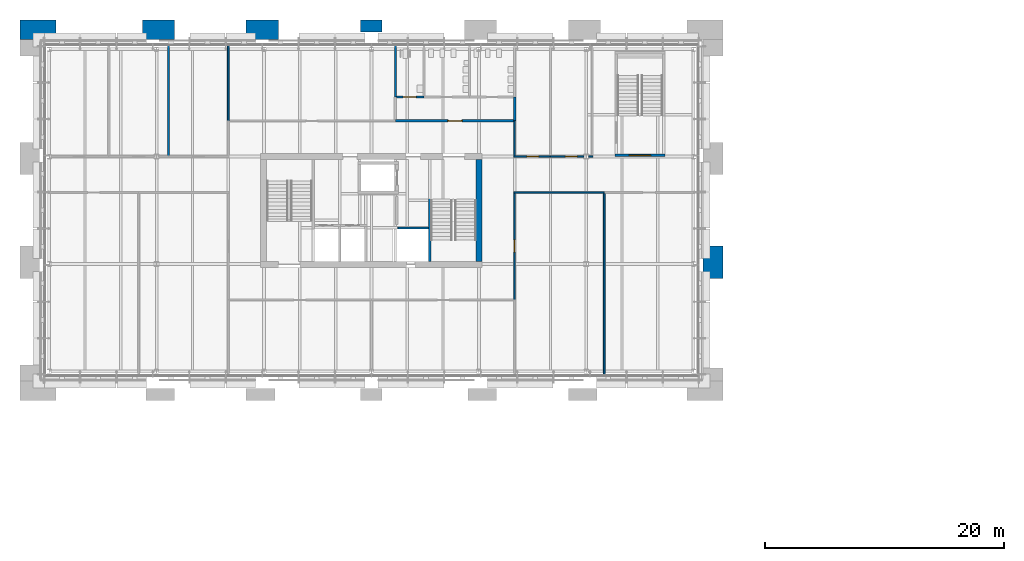
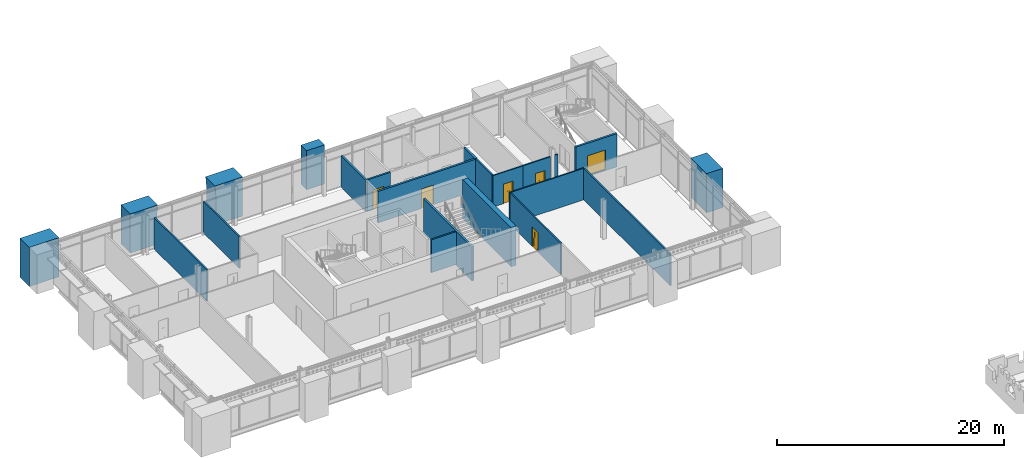
# One storey, part 22 of 37: 22 walls, 6 doors, 6 openings.
"""IFC4 building model written with IfcOpenShell, lengths in metres."""

from ifc_helpers import new_model, si_unit, direction, frame, frame_2d, origin, place, context, subcontext, project, spatial, polyline, rectangle, outline, extrude, material, layer, layer_set, type_object, element, fill, save


model = new_model("IFC4")

# Units and contexts
model_context = context("Model", 3, precision=1e-05, world=origin(), true_north=direction((0.0, 1.0)))
body_context = subcontext(model_context, "Body", "Model", "MODEL_VIEW")
ifc_project = project(units=[si_unit("LENGTHUNIT", "METRE"), si_unit("AREAUNIT", "SQUARE_METRE"), si_unit("VOLUMEUNIT", "CUBIC_METRE"), si_unit("PLANEANGLEUNIT", "RADIAN"), si_unit("MASSUNIT", "GRAM", prefix="KILO")], contexts=[model_context])

# Site, building, storey
site_placement = place(None, origin())
site = spatial("IfcSite", under=ifc_project, at=site_placement, CompositionType="ELEMENT")
building_placement = place(site_placement, origin())
building = spatial("IfcBuilding", under=site, at=building_placement, Name="Baradari Gate Terminus", CompositionType="ELEMENT")
storey_placement = place(building_placement, frame((0.0, 0.0, 24.300048828125)))
storey = spatial("IfcBuildingStorey", under=building, at=storey_placement, Name="L05", CompositionType="ELEMENT", Elevation=24.300048828125)

# Wall
ifc_material_1 = material(Name="Gypsum board")
ifc_layer_1 = layer(ifc_material_1, 0.125)
ifc_layer_set_1 = layer_set([ifc_layer_1], Name="Gypsum board")
wall_type_1 = type_object("IfcWallType", Name="Corridor partition PT-5 125 EI 30", PredefinedType="PARTITIONING", material=ifc_layer_set_1)
wall_1_placement = place(storey_placement, frame((55.5, 132.0, 0.0), z_axis=(0.0, 0.0, 1.0), x_axis=(-1.0, 0.0, 0.0)))
element("IfcWall", 1, at=wall_1_placement, inside=storey, type_object=wall_type_1, Name="PT-5 partition Corridor / Meeting Room 1", PredefinedType="PARTITIONING", context=body_context, shape_type="SweptSolid", body=[
    extrude(rectangle(XDim=7.5625, YDim=0.125, at=frame_2d((3.78125, 0.0))), origin(), (0.0, 0.0, 1.0), 3.3818359375),
])

# Wall, opening, door
wall_2_placement = place(storey_placement, frame((48.0, 131.9375, 0.0), z_axis=(0.0, 0.0, 1.0), x_axis=(0.0, -1.0, 0.0)))
wall_2 = element("IfcWall", 2, at=wall_2_placement, inside=storey, type_object=wall_type_1, Name="PT-5 partition Corridor / Meeting Room 1", PredefinedType="PARTITIONING", context=body_context, shape_type="SweptSolid", body=[
    extrude(rectangle(XDim=8.9375, YDim=0.125, at=frame_2d((4.46875, 0.0))), origin(), (0.0, 0.0, 1.0), 3.3818359375),
])
opening_1_placement = place(wall_2_placement, frame((3.91259765625, 0.0, 0.0)))
opening_1 = element("IfcOpeningElement", 3, at=opening_1_placement, cuts=wall_2, Name="Opening D05-020", PredefinedType="OPENING", context=body_context, shape_type="SweptSolid", body=[
    extrude(rectangle(XDim=1.050048828125, YDim=2.10009765625, at=frame_2d((0.52490234375, 1.050048828125))), frame((0.0, 0.072509765625, 0.0), z_axis=(0.0, -1.0, 0.0), x_axis=(1.0, 0.0, 0.0)), (0.0, 0.0, 1.0), 0.14501953125),
])
ifc_material_2 = material(Name="Steel S275", Category="steel")
door_type_1 = type_object("IfcDoorType", Name="Fire door FI-1050-FD30S 1050x2100 FD30S", OperationType="SINGLE_SWING_LEFT", PredefinedType="DOOR", material=ifc_material_2)
door_1_placement = place(opening_1_placement, frame((1.050048828125, 0.0, 0.0), z_axis=(0.0, 0.0, 1.0), x_axis=(-1.0, 0.0, 0.0)))
door_1 = element("IfcDoor", 4, at=door_1_placement, inside=storey, type_object=door_type_1, Name="Door Meeting Room 1", OperationType="SINGLE_SWING_LEFT", OverallHeight=2.1, OverallWidth=1.05, PredefinedType="DOOR", context=body_context, shape_type="SweptSolid", body=[
    extrude(outline(polyline([(0.0, 0.0), (0.070068359375, 0.0), (0.070068359375, 2.030029296875), (0.97998046875, 2.030029296875), (0.97998046875, 0.0), (1.050048828125, 0.0), (1.050048828125, 2.10009765625), (0.0, 2.10009765625), (0.0, 0.0)])), frame((0.0, 0.02490234375, 0.0), z_axis=(0.0, -1.0, 0.0), x_axis=(1.0, 0.0, 0.0)), (0.0, 0.0, 1.0), 0.050048828125),
    extrude(outline(polyline([(0.073974609375, 0.010009765625), (0.97607421875, 0.010009765625), (0.97607421875, 2.026123046875), (0.073974609375, 2.026123046875), (0.073974609375, 0.010009765625)]), holes=[polyline([(0.194091796875, 0.159912109375), (0.85595703125, 0.159912109375), (0.85595703125, 1.010009765625), (0.194091796875, 1.010009765625), (0.194091796875, 0.159912109375)]), polyline([(0.375, 1.159912109375), (0.675048828125, 1.159912109375), (0.675048828125, 1.760009765625), (0.375, 1.760009765625), (0.375, 1.159912109375)])]), frame((0.0, 0.017333984375, 0.0), z_axis=(0.0, -1.0, 0.0), x_axis=(1.0, 0.0, 0.0)), (0.0, 0.0, 1.0), 0.034912109375),
    extrude(rectangle(XDim=0.661865234375, YDim=0.85009765625, at=frame_2d((0.52490234375, 0.5849609375))), frame((0.0, 0.008544921875, 0.0), z_axis=(0.0, -1.0, 0.0), x_axis=(1.0, 0.0, 0.0)), (0.0, 0.0, 1.0), 0.017333984375),
    extrude(rectangle(XDim=0.300048828125, YDim=0.60009765625, at=frame_2d((0.52490234375, 1.4599609375))), frame((0.0, 0.005859375, 0.0), z_axis=(0.0, -1.0, 0.0), x_axis=(1.0, 0.0, 0.0)), (0.0, 0.0, 1.0), 0.011962890625),
])
fill(opening_1, door_1)

# Wall
wall_3_placement = place(storey_placement, frame((48.0, 138.0, 0.0), z_axis=(0.0, 0.0, 1.0), x_axis=(0.0, -1.0, 0.0)))
element("IfcWall", 5, at=wall_3_placement, inside=storey, type_object=wall_type_1, Name="PT-5 partition Corridor / Tea Point", PredefinedType="PARTITIONING", context=body_context, shape_type="SweptSolid", body=[
    extrude(rectangle(XDim=2.9375, YDim=0.125, at=frame_2d((1.46875, 0.0))), origin(), (0.0, 0.0, 1.0), 3.3818359375),
])

# Wall, opening, door
wall_4_placement = place(storey_placement, frame((47.9375, 135.0, 0.0), z_axis=(0.0, 0.0, 1.0), x_axis=(1.0, 0.0, 0.0)))
wall_4 = element("IfcWall", 6, at=wall_4_placement, inside=storey, type_object=wall_type_1, Name="PT-5 partition Corridor / Tea Point", PredefinedType="PARTITIONING", context=body_context, shape_type="SweptSolid", body=[
    extrude(rectangle(XDim=3.0625, YDim=0.125, at=frame_2d((1.53125, 0.0))), origin(), (0.0, 0.0, 1.0), 3.3818359375),
])
opening_2_placement = place(wall_4_placement, frame((1.0625, 0.0, 0.0)))
opening_2 = element("IfcOpeningElement", 7, at=opening_2_placement, cuts=wall_4, Name="Opening D05-025", PredefinedType="OPENING", context=body_context, shape_type="SweptSolid", body=[
    extrude(rectangle(XDim=1.0, YDim=2.10009765625, at=frame_2d((0.5, 1.050048828125))), frame((0.0, 0.072509765625, 0.0), z_axis=(0.0, -1.0, 0.0), x_axis=(1.0, 0.0, 0.0)), (0.0, 0.0, 1.0), 0.14501953125),
])
ifc_material_3 = material(Name="Steel S275", Category="steel")
door_type_2 = type_object("IfcDoorType", Name="Fire door FI-1000-FD30S 1000x2100 FD30S", OperationType="SINGLE_SWING_LEFT", PredefinedType="DOOR", material=ifc_material_3)
door_2_placement = place(opening_2_placement, origin())
door_2 = element("IfcDoor", 8, at=door_2_placement, inside=storey, type_object=door_type_2, Name="Door Tea Point", OperationType="SINGLE_SWING_LEFT", OverallHeight=2.1, OverallWidth=1.0, PredefinedType="DOOR", context=body_context, shape_type="SweptSolid", body=[
    extrude(outline(polyline([(0.0, 0.0), (0.070068359375, 0.0), (0.070068359375, 2.030029296875), (0.929931640625, 2.030029296875), (0.929931640625, 0.0), (1.0, 0.0), (1.0, 2.10009765625), (0.0, 2.10009765625), (0.0, 0.0)])), frame((0.0, 0.02490234375, 0.0), z_axis=(0.0, -1.0, 0.0), x_axis=(1.0, 0.0, 0.0)), (0.0, 0.0, 1.0), 0.050048828125),
    extrude(outline(polyline([(0.073974609375, 0.010009765625), (0.926025390625, 0.010009765625), (0.926025390625, 2.026123046875), (0.073974609375, 2.026123046875), (0.073974609375, 0.010009765625)]), holes=[polyline([(0.194091796875, 0.159912109375), (0.805908203125, 0.159912109375), (0.805908203125, 1.010009765625), (0.194091796875, 1.010009765625), (0.194091796875, 0.159912109375)]), polyline([(0.35009765625, 1.159912109375), (0.64990234375, 1.159912109375), (0.64990234375, 1.760009765625), (0.35009765625, 1.760009765625), (0.35009765625, 1.159912109375)])]), frame((0.0, 0.017333984375, 0.0), z_axis=(0.0, -1.0, 0.0), x_axis=(1.0, 0.0, 0.0)), (0.0, 0.0, 1.0), 0.034912109375),
    extrude(rectangle(XDim=0.61181640625, YDim=0.85009765625, at=frame_2d((0.5, 0.5849609375))), frame((0.0, 0.008544921875, 0.0), z_axis=(0.0, -1.0, 0.0), x_axis=(1.0, 0.0, 0.0)), (0.0, 0.0, 1.0), 0.017333984375),
    extrude(rectangle(XDim=0.2998046875, YDim=0.60009765625, at=frame_2d((0.5, 1.4599609375))), frame((0.0, 0.005859375, 0.0), z_axis=(0.0, -1.0, 0.0), x_axis=(1.0, 0.0, 0.0)), (0.0, 0.0, 1.0), 0.011962890625),
])
fill(opening_2, door_2)

wall_5_placement = place(storey_placement, frame((51.0, 135.0, 0.0), z_axis=(0.0, 0.0, 1.0), x_axis=(1.0, 0.0, 0.0)))
wall_5 = element("IfcWall", 9, at=wall_5_placement, inside=storey, type_object=wall_type_1, Name="PT-5 partition Corridor / Stationery Store", PredefinedType="PARTITIONING", context=body_context, shape_type="SweptSolid", body=[
    extrude(rectangle(XDim=2.802490234375, YDim=0.125, at=frame_2d((1.4013671875, 0.0))), origin(), (0.0, 0.0, 1.0), 3.3818359375),
])
opening_3_placement = place(wall_5_placement, frame((1.25, 0.0, 0.0)))
opening_3 = element("IfcOpeningElement", 10, at=opening_3_placement, cuts=wall_5, Name="Opening D05-026", PredefinedType="OPENING", context=body_context, shape_type="SweptSolid", body=[
    extrude(rectangle(XDim=1.0, YDim=2.10009765625, at=frame_2d((0.5, 1.050048828125))), frame((0.0, 0.072509765625, 0.0), z_axis=(0.0, -1.0, 0.0), x_axis=(1.0, 0.0, 0.0)), (0.0, 0.0, 1.0), 0.14501953125),
])
door_3_placement = place(opening_3_placement, origin())
door_3 = element("IfcDoor", 11, at=door_3_placement, inside=storey, type_object=door_type_2, Name="Door Stationery Store", OperationType="SINGLE_SWING_LEFT", OverallHeight=2.1, OverallWidth=1.0, PredefinedType="DOOR", context=body_context, shape_type="SweptSolid", body=[
    extrude(outline(polyline([(0.0, 0.0), (0.070068359375, 0.0), (0.070068359375, 2.030029296875), (0.929931640625, 2.030029296875), (0.929931640625, 0.0), (1.0, 0.0), (1.0, 2.10009765625), (0.0, 2.10009765625), (0.0, 0.0)])), frame((0.0, 0.02490234375, 0.0), z_axis=(0.0, -1.0, 0.0), x_axis=(1.0, 0.0, 0.0)), (0.0, 0.0, 1.0), 0.050048828125),
    extrude(outline(polyline([(0.073974609375, 0.010009765625), (0.926025390625, 0.010009765625), (0.926025390625, 2.026123046875), (0.073974609375, 2.026123046875), (0.073974609375, 0.010009765625)]), holes=[polyline([(0.194091796875, 0.159912109375), (0.805908203125, 0.159912109375), (0.805908203125, 1.010009765625), (0.194091796875, 1.010009765625), (0.194091796875, 0.159912109375)]), polyline([(0.35009765625, 1.159912109375), (0.64990234375, 1.159912109375), (0.64990234375, 1.760009765625), (0.35009765625, 1.760009765625), (0.35009765625, 1.159912109375)])]), frame((0.0, 0.017333984375, 0.0), z_axis=(0.0, -1.0, 0.0), x_axis=(1.0, 0.0, 0.0)), (0.0, 0.0, 1.0), 0.034912109375),
    extrude(rectangle(XDim=0.61181640625, YDim=0.85009765625, at=frame_2d((0.5, 0.5849609375))), frame((0.0, 0.008544921875, 0.0), z_axis=(0.0, -1.0, 0.0), x_axis=(1.0, 0.0, 0.0)), (0.0, 0.0, 1.0), 0.017333984375),
    extrude(rectangle(XDim=0.2998046875, YDim=0.60009765625, at=frame_2d((0.5, 1.4599609375))), frame((0.0, 0.005859375, 0.0), z_axis=(0.0, -1.0, 0.0), x_axis=(1.0, 0.0, 0.0)), (0.0, 0.0, 1.0), 0.011962890625),
])
fill(opening_3, door_3)

# Wall
wall_6_placement = place(storey_placement, frame((54.197509765625, 135.0, 0.0), z_axis=(0.0, 0.0, 1.0), x_axis=(1.0, 0.0, 0.0)))
element("IfcWall", 12, at=wall_6_placement, inside=storey, type_object=wall_type_1, Name="PT-5 partition Corridor / Stationery Store", PredefinedType="PARTITIONING", context=body_context, shape_type="SweptSolid", body=[
    extrude(rectangle(XDim=0.364990234375, YDim=0.125, at=frame_2d((0.1826171875, 0.0))), origin(), (0.0, 0.0, 1.0), 3.3818359375),
])

# Wall, opening, door
ifc_material_4 = material(Name="Blockwork wall, plastered, fire rated", Category="masonry")
ifc_layer_2 = layer(ifc_material_4, 0.199951171875)
ifc_layer_set_2 = layer_set([ifc_layer_2], Name="Blockwork wall, plastered, fire rated")
wall_type_2 = type_object("IfcWallType", Name="Lobby partition PT-4 200 EI 60", PredefinedType="PARTITIONING", material=ifc_layer_set_2)
wall_7_placement = place(storey_placement, frame((38.0, 138.0, 0.0), z_axis=(0.0, 0.0, 1.0), x_axis=(1.0, 0.0, 0.0)))
wall_7 = element("IfcWall", 13, at=wall_7_placement, inside=storey, type_object=wall_type_2, Name="PT-4 partition Corridor / WC Lobby", PredefinedType="PARTITIONING", context=body_context, shape_type="SweptSolid", body=[
    extrude(rectangle(XDim=9.89990234375, YDim=0.199951171875, at=frame_2d((4.949951171875, 0.0))), origin(), (0.0, 0.0, 1.0), 3.3818359375),
])
opening_4_placement = place(wall_7_placement, frame((4.39990234375, 0.0, 0.0)))
opening_4 = element("IfcOpeningElement", 14, at=opening_4_placement, cuts=wall_7, Name="Opening D05-011", PredefinedType="OPENING", context=body_context, shape_type="SweptSolid", body=[
    extrude(rectangle(XDim=1.199951171875, YDim=2.10009765625, at=frame_2d((0.60009765625, 1.050048828125))), frame((0.0, 0.10986328125, 0.0), z_axis=(0.0, -1.0, 0.0), x_axis=(1.0, 0.0, 0.0)), (0.0, 0.0, 1.0), 0.219970703125),
])
ifc_material_5 = material(Name="Steel S275", Category="steel")
door_type_3 = type_object("IfcDoorType", Name="Fire door FI-1200-FD60S 1200x2100 FD60S", OperationType="DOUBLE_DOOR_SINGLE_SWING", PredefinedType="DOOR", material=ifc_material_5)
door_4_placement = place(opening_4_placement, origin())
door_4 = element("IfcDoor", 15, at=door_4_placement, inside=storey, type_object=door_type_3, Name="Door WC Lobby", OperationType="DOUBLE_DOOR_SINGLE_SWING", OverallHeight=2.1, OverallWidth=1.2, PredefinedType="DOOR", context=body_context, shape_type="SweptSolid", body=[
    extrude(outline(polyline([(0.0, 0.0), (0.070068359375, 0.0), (0.070068359375, 2.030029296875), (1.1298828125, 2.030029296875), (1.1298828125, 0.0), (1.199951171875, 0.0), (1.199951171875, 2.10009765625), (0.0, 2.10009765625), (0.0, 0.0)])), frame((0.0, 0.02490234375, 0.0), z_axis=(0.0, -1.0, 0.0), x_axis=(1.0, 0.0, 0.0)), (0.0, 0.0, 1.0), 0.050048828125),
    extrude(outline(polyline([(0.073974609375, 0.010009765625), (0.596923828125, 0.010009765625), (0.596923828125, 2.026123046875), (0.073974609375, 2.026123046875), (0.073974609375, 0.010009765625)]), holes=[polyline([(0.178466796875, 0.372802734375), (0.492431640625, 0.372802734375), (0.492431640625, 1.7841796875), (0.178466796875, 1.7841796875), (0.178466796875, 0.372802734375)])]), frame((0.0, 0.017333984375, 0.0), z_axis=(0.0, -1.0, 0.0), x_axis=(1.0, 0.0, 0.0)), (0.0, 0.0, 1.0), 0.034912109375),
    extrude(rectangle(XDim=0.31396484375, YDim=1.411376953125, at=frame_2d((0.33544921875, 1.07861328125))), frame((0.0, 0.008544921875, 0.0), z_axis=(0.0, -1.0, 0.0), x_axis=(1.0, 0.0, 0.0)), (0.0, 0.0, 1.0), 0.017333984375),
    extrude(outline(polyline([(0.60302734375, 0.010009765625), (1.1259765625, 0.010009765625), (1.1259765625, 2.026123046875), (0.60302734375, 2.026123046875), (0.60302734375, 0.010009765625)]), holes=[polyline([(0.70751953125, 0.372802734375), (1.021484375, 0.372802734375), (1.021484375, 1.7841796875), (0.70751953125, 1.7841796875), (0.70751953125, 0.372802734375)])]), frame((0.0, 0.017333984375, 0.0), z_axis=(0.0, -1.0, 0.0), x_axis=(1.0, 0.0, 0.0)), (0.0, 0.0, 1.0), 0.034912109375),
    extrude(rectangle(XDim=0.31396484375, YDim=1.411376953125, at=frame_2d((0.864501953125, 1.07861328125))), frame((0.0, 0.008544921875, 0.0), z_axis=(0.0, -1.0, 0.0), x_axis=(1.0, 0.0, 0.0)), (0.0, 0.0, 1.0), 0.017333984375),
])
fill(opening_4, door_4)

# Walls
wall_8_placement = place(storey_placement, frame((48.0, 140.0, 0.0), z_axis=(0.0, 0.0, 1.0), x_axis=(0.0, -1.0, 0.0)))
element("IfcWall", 16, at=wall_8_placement, inside=storey, type_object=wall_type_2, Name="PT-4 partition WC Lobby / Tea Point", PredefinedType="PARTITIONING", context=body_context, shape_type="SweptSolid", body=[
    extrude(rectangle(XDim=2.0, YDim=0.199951171875, at=frame_2d((1.0, 0.0))), origin(), (0.0, 0.0, 1.0), 3.3818359375),
])
ifc_material_6 = material(Name="Concrete C40/50", Category="concrete")
ifc_layer_3 = layer(ifc_material_6, 0.5)
ifc_layer_set_3 = layer_set([ifc_layer_3], Name="Concrete C40/50")
wall_type_3 = type_object("IfcWallType", Name="Operations block core wall CWL02 500", PredefinedType="SOLIDWALL", material=ifc_layer_set_3)
wall_9_placement = place(storey_placement, frame((45.02490234375, 126.22509765625, 0.0), z_axis=(0.0, 0.0, 1.0), x_axis=(0.0, 1.0, 0.0)))
element("IfcWall", 17, at=wall_9_placement, inside=storey, type_object=wall_type_3, Name="Operations block core wall CT E L05", PredefinedType="SOLIDWALL", context=body_context, shape_type="SweptSolid", body=[
    extrude(rectangle(XDim=8.5498046875, YDim=0.5, at=frame_2d((4.27490234375, 0.0))), origin(), (0.0, 0.0, 1.0), 4.199951171875),
])
ifc_material_7 = material(Name="Blockwork wall, plastered", Category="masonry")
ifc_layer_4 = layer(ifc_material_7, 0.14990234375)
ifc_layer_set_4 = layer_set([ifc_layer_4], Name="Blockwork wall, plastered")
wall_type_4 = type_object("IfcWallType", Name="Partition PT-2 150 EI 60", PredefinedType="PARTITIONING", material=ifc_layer_set_4)
wall_10_placement = place(storey_placement, frame((19.0, 144.294921875, 0.0), z_axis=(0.0, 0.0, 1.0), x_axis=(0.0, -1.0, 0.0)))
element("IfcWall", 18, at=wall_10_placement, inside=storey, type_object=wall_type_4, Name="PT-2 partition Revenue Office / Freight and Parcels Office", PredefinedType="PARTITIONING", context=body_context, shape_type="SweptSolid", body=[
    extrude(rectangle(XDim=9.232421875, YDim=0.14990234375, at=frame_2d((4.6162109375, 0.0))), origin(), (0.0, 0.0, 1.0), 3.3818359375),
])
wall_11_placement = place(storey_placement, frame((24.0, 144.294921875, 0.0), z_axis=(0.0, 0.0, 1.0), x_axis=(0.0, -1.0, 0.0)))
element("IfcWall", 19, at=wall_11_placement, inside=storey, type_object=wall_type_4, Name="PT-2 partition Freight and Parcels Office / Print and Stationery Room", PredefinedType="PARTITIONING", context=body_context, shape_type="SweptSolid", body=[
    extrude(rectangle(XDim=6.294921875, YDim=0.14990234375, at=frame_2d((3.1474609375, 0.0))), origin(), (0.0, 0.0, 1.0), 3.3818359375),
])
wall_12_placement = place(storey_placement, frame((55.5, 131.9375, 0.0), z_axis=(0.0, 0.0, 1.0), x_axis=(0.0, -1.0, 0.0)))
element("IfcWall", 20, at=wall_12_placement, inside=storey, type_object=wall_type_4, Name="PT-2 partition Meeting Room 1 / Meeting Room 2", PredefinedType="PARTITIONING", context=body_context, shape_type="SweptSolid", body=[
    extrude(rectangle(XDim=15.232421875, YDim=0.14990234375, at=frame_2d((7.6162109375, 0.0))), origin(), (0.0, 0.0, 1.0), 3.3818359375),
])
ifc_material_8 = material(Name="Blockwork wall, fire rated", Category="masonry")
ifc_layer_5 = layer(ifc_material_8, 0.14990234375)
ifc_layer_set_5 = layer_set([ifc_layer_5], Name="Blockwork wall, fire rated")
wall_type_5 = type_object("IfcWallType", Name="Riser wall RW-1 150 EI 120", PredefinedType="SOLIDWALL", material=ifc_layer_set_5)
wall_13_placement = place(storey_placement, frame((40.77294921875, 129.02490234375, 0.0), z_axis=(0.0, 0.0, 1.0), x_axis=(-1.0, 0.0, 0.0)))
element("IfcWall", 21, at=wall_13_placement, inside=storey, type_object=wall_type_5, Name="RW-1 partition Lift Lobby (Fire-fighting) / Riser", PredefinedType="SOLIDWALL", context=body_context, shape_type="SweptSolid", body=[
    extrude(rectangle(XDim=2.5478515625, YDim=0.14990234375, at=frame_2d((1.27392578125, 0.0))), origin(), (0.0, 0.0, 1.0), 3.52490234375),
])
ifc_material_9 = material(Name="Concrete C40/50 precast", Category="concrete")
ifc_layer_6 = layer(ifc_material_9, 1.55)
ifc_material_10 = material(Name="Sandstone cladding", Category="masonry")
ifc_layer_7 = layer(ifc_material_10, 0.1)
ifc_layer_set_6 = layer_set([ifc_layer_6, ifc_layer_7], Name="Concrete C40/50 precast")
wall_type_6 = type_object("IfcWallType", Name="Sandstone-faced precast frame pier WQ-4 1650", PredefinedType="SOLIDWALL", material=ifc_layer_set_6)
wall_14_placement = place(storey_placement, frame((16.800048828125, 145.6201171875, 0.0), z_axis=(0.0, 0.0, 1.0), x_axis=(1.0, 0.0, 0.0)))
element("IfcWall", 22, at=wall_14_placement, inside=storey, type_object=wall_type_6, Name="Frame portal wall N face bay 1 1", PredefinedType="SOLIDWALL", context=body_context, shape_type="SweptSolid", body=[
    extrude(outline(polyline([(2.699951171875, 0.0), (2.699951171875, 3.0), (2.795166015625, 4.199951171875), (0.0, 4.199951171875), (0.0, 0.0), (2.699951171875, 0.0)])), frame((0.0, 0.824951171875, 0.0), z_axis=(0.0, -1.0, 0.0), x_axis=(1.0, 0.0, 0.0)), (0.0, 0.0, 1.0), 1.64990234375),
])
wall_15_placement = place(storey_placement, frame((25.40478515625, 145.6201171875, 0.0), z_axis=(0.0, 0.0, 1.0), x_axis=(1.0, 0.0, 0.0)))
element("IfcWall", 23, at=wall_15_placement, inside=storey, type_object=wall_type_6, Name="Frame portal wall N face bay 1 2", PredefinedType="SOLIDWALL", context=body_context, shape_type="SweptSolid", body=[
    extrude(outline(polyline([(0.0, 4.199951171875), (0.09521484375, 3.0), (0.09521484375, 0.0), (2.795166015625, 0.0), (2.795166015625, 4.199951171875), (0.0, 4.199951171875)])), frame((0.0, 0.824951171875, 0.0), z_axis=(0.0, -1.0, 0.0), x_axis=(1.0, 0.0, 0.0)), (0.0, 0.0, 1.0), 1.64990234375),
])
wall_16_placement = place(storey_placement, frame((64.6201171875, 124.800048828125, 0.0), z_axis=(0.0, 0.0, 1.0), x_axis=(0.0, 1.0, 0.0)))
element("IfcWall", 24, at=wall_16_placement, inside=storey, type_object=wall_type_6, Name="Frame portal wall E face bay 1 1", PredefinedType="SOLIDWALL", context=body_context, shape_type="SweptSolid", body=[
    extrude(outline(polyline([(2.699951171875, 0.0), (2.699951171875, 3.0), (2.795166015625, 4.199951171875), (0.0, 4.199951171875), (0.0, 0.0), (2.699951171875, 0.0)])), frame((0.0, 0.824951171875, 0.0), z_axis=(0.0, -1.0, 0.0), x_axis=(1.0, 0.0, 0.0)), (0.0, 0.0, 1.0), 1.64990234375),
])
wall_17_placement = place(storey_placement, frame((6.554931640625, 145.6201171875, 0.0), z_axis=(0.0, 0.0, 1.0), x_axis=(1.0, 0.0, 0.0)))
element("IfcWall", 25, at=wall_17_placement, inside=storey, type_object=wall_type_6, Name="Corner pilaster NW leg A L05", PredefinedType="SOLIDWALL", context=body_context, shape_type="SweptSolid", body=[
    extrude(rectangle(XDim=3.0, YDim=1.64990234375, at=frame_2d((1.5, 0.0))), origin(), (0.0, 0.0, 1.0), 4.199951171875),
])
ifc_layer_8 = layer(ifc_material_9, 0.9)
ifc_layer_9 = layer(ifc_material_10, 0.1)
ifc_layer_set_7 = layer_set([ifc_layer_8, ifc_layer_9], Name="Concrete C40/50 precast")
wall_type_7 = type_object("IfcWallType", Name="Sandstone-faced precast grid pier WQ-6 1000", PredefinedType="SOLIDWALL", material=ifc_layer_set_7)
wall_18_placement = place(storey_placement, frame((35.10009765625, 145.945068359375, 0.0), z_axis=(0.0, 0.0, 1.0), x_axis=(1.0, 0.0, 0.0)))
element("IfcWall", 26, at=wall_18_placement, inside=storey, type_object=wall_type_7, Name="Grid pier N face grid 36 L05", PredefinedType="SOLIDWALL", context=body_context, shape_type="SweptSolid", body=[
    extrude(rectangle(XDim=1.7998046875, YDim=1.0, at=frame_2d((0.89990234375, 0.0))), origin(), (0.0, 0.0, 1.0), 4.199951171875),
])
ifc_material_11 = material(Name="Concrete C40/50", Category="concrete")
ifc_layer_10 = layer(ifc_material_11, 0.199951171875)
ifc_layer_set_8 = layer_set([ifc_layer_10], Name="Concrete C40/50")
wall_type_8 = type_object("IfcWallType", Name="Stair enclosure wall SE-1 200 EI 120", PredefinedType="SOLIDWALL", material=ifc_layer_set_8)
wall_19_placement = place(storey_placement, frame((40.875, 126.22705078125, -0.130126953125), z_axis=(0.0, 0.0, 1.0), x_axis=(0.0, 1.0, 0.0)))
element("IfcWall", 27, at=wall_19_placement, inside=storey, type_object=wall_type_8, Name="Stair enclosure wall SE-1 ST-T2 L05 W", PredefinedType="SOLIDWALL", context=body_context, shape_type="SweptSolid", body=[
    extrude(rectangle(XDim=8.5458984375, YDim=0.199951171875, at=frame_2d((4.27294921875, 0.0))), origin(), (0.0, 0.0, 1.0), 3.666015625),
])

# Wall, opening, door
ifc_material_12 = material(Name="Concrete C40/50", Category="concrete")
ifc_layer_11 = layer(ifc_material_12, 0.199951171875)
ifc_layer_set_9 = layer_set([ifc_layer_11], Name="Concrete C40/50")
wall_type_9 = type_object("IfcWallType", Name="Stair enclosure wall SE-2 200 EI 120", PredefinedType="SOLIDWALL", material=ifc_layer_set_9)
wall_20_placement = place(storey_placement, frame((56.39990234375, 135.10009765625, -0.130126953125), z_axis=(0.0, 0.0, 1.0), x_axis=(1.0, 0.0, 0.0)))
wall_20 = element("IfcWall", 28, at=wall_20_placement, inside=storey, type_object=wall_type_9, Name="Stair enclosure wall SE-2 ST-T3 L05 S", PredefinedType="SOLIDWALL", context=body_context, shape_type="SweptSolid", body=[
    extrude(rectangle(XDim=4.2001953125, YDim=0.199951171875, at=frame_2d((2.10009765625, 0.0))), origin(), (0.0, 0.0, 1.0), 3.587158203125),
])
opening_5_placement = place(wall_20_placement, frame((1.199951171875, 0.0, 0.1298828125)))
opening_5 = element("IfcOpeningElement", 29, at=opening_5_placement, cuts=wall_20, Name="Opening D05-010", PredefinedType="OPENING", context=body_context, shape_type="SweptSolid", body=[
    extrude(rectangle(XDim=1.800048828125, YDim=2.10009765625, at=frame_2d((0.89990234375, 1.050048828125))), frame((0.0, 0.10986328125, 0.0), z_axis=(0.0, -1.0, 0.0), x_axis=(1.0, 0.0, 0.0)), (0.0, 0.0, 1.0), 0.219970703125),
])
ifc_material_13 = material(Name="Steel S275", Category="steel")
door_type_4 = type_object("IfcDoorType", Name="Fire door FI-1800-FD90S 1800x2100 FD90S", OperationType="DOUBLE_DOOR_SINGLE_SWING", PredefinedType="DOOR", material=ifc_material_13)
door_5_placement = place(opening_5_placement, origin())
door_5 = element("IfcDoor", 30, at=door_5_placement, inside=storey, type_object=door_type_4, Name="Door Stair (East Core)", OperationType="DOUBLE_DOOR_SINGLE_SWING", OverallHeight=2.1, OverallWidth=1.8, PredefinedType="DOOR", context=body_context, shape_type="SweptSolid", body=[
    extrude(outline(polyline([(0.0, 0.0), (0.070068359375, 0.0), (0.070068359375, 2.030029296875), (1.72998046875, 2.030029296875), (1.72998046875, 0.0), (1.800048828125, 0.0), (1.800048828125, 2.10009765625), (0.0, 2.10009765625), (0.0, 0.0)])), frame((0.0, 0.02490234375, 0.0), z_axis=(0.0, -1.0, 0.0), x_axis=(1.0, 0.0, 0.0)), (0.0, 0.0, 1.0), 0.050048828125),
    extrude(outline(polyline([(0.073974609375, 0.010009765625), (0.89697265625, 0.010009765625), (0.89697265625, 2.026123046875), (0.073974609375, 2.026123046875), (0.073974609375, 0.010009765625)]), holes=[polyline([(0.194091796875, 0.159912109375), (0.77685546875, 0.159912109375), (0.77685546875, 1.010009765625), (0.194091796875, 1.010009765625), (0.194091796875, 0.159912109375)]), polyline([(0.33544921875, 1.159912109375), (0.635498046875, 1.159912109375), (0.635498046875, 1.760009765625), (0.33544921875, 1.760009765625), (0.33544921875, 1.159912109375)])]), frame((0.0, 0.017333984375, 0.0), z_axis=(0.0, -1.0, 0.0), x_axis=(1.0, 0.0, 0.0)), (0.0, 0.0, 1.0), 0.034912109375),
    extrude(rectangle(XDim=0.582763671875, YDim=0.85009765625, at=frame_2d((0.4853515625, 0.5849609375))), frame((0.0, 0.008544921875, 0.0), z_axis=(0.0, -1.0, 0.0), x_axis=(1.0, 0.0, 0.0)), (0.0, 0.0, 1.0), 0.017333984375),
    extrude(rectangle(XDim=0.300048828125, YDim=0.60009765625, at=frame_2d((0.4853515625, 1.4599609375))), frame((0.0, 0.005859375, 0.0), z_axis=(0.0, -1.0, 0.0), x_axis=(1.0, 0.0, 0.0)), (0.0, 0.0, 1.0), 0.011962890625),
    extrude(outline(polyline([(0.903076171875, 0.010009765625), (1.72607421875, 0.010009765625), (1.72607421875, 2.026123046875), (0.903076171875, 2.026123046875), (0.903076171875, 0.010009765625)]), holes=[polyline([(1.023193359375, 0.159912109375), (1.60595703125, 0.159912109375), (1.60595703125, 1.010009765625), (1.023193359375, 1.010009765625), (1.023193359375, 0.159912109375)]), polyline([(1.16455078125, 1.159912109375), (1.464599609375, 1.159912109375), (1.464599609375, 1.760009765625), (1.16455078125, 1.760009765625), (1.16455078125, 1.159912109375)])]), frame((0.0, 0.017333984375, 0.0), z_axis=(0.0, -1.0, 0.0), x_axis=(1.0, 0.0, 0.0)), (0.0, 0.0, 1.0), 0.034912109375),
    extrude(rectangle(XDim=0.582763671875, YDim=0.85009765625, at=frame_2d((1.314453125, 0.5849609375))), frame((0.0, 0.008544921875, 0.0), z_axis=(0.0, -1.0, 0.0), x_axis=(1.0, 0.0, 0.0)), (0.0, 0.0, 1.0), 0.017333984375),
    extrude(rectangle(XDim=0.300048828125, YDim=0.60009765625, at=frame_2d((1.314453125, 1.4599609375))), frame((0.0, 0.005859375, 0.0), z_axis=(0.0, -1.0, 0.0), x_axis=(1.0, 0.0, 0.0)), (0.0, 0.0, 1.0), 0.011962890625),
])
fill(opening_5, door_5)

ifc_material_14 = material(Name="Blockwork wall, tiled both faces", Category="masonry")
ifc_layer_12 = layer(ifc_material_14, 0.175048828125)
ifc_layer_set_10 = layer_set([ifc_layer_12], Name="Blockwork wall, tiled both faces")
wall_type_10 = type_object("IfcWallType", Name="WC wet wall PT-6 175 EI 60", PredefinedType="PARTITIONING", material=ifc_layer_set_10)
wall_21_placement = place(storey_placement, frame((38.10009765625, 140.0, 0.0), z_axis=(0.0, 0.0, 1.0), x_axis=(1.0, 0.0, 0.0)))
wall_21 = element("IfcWall", 31, at=wall_21_placement, inside=storey, type_object=wall_type_10, Name="PT-6 partition WC Lobby / Accessible WC", PredefinedType="PARTITIONING", context=body_context, shape_type="SweptSolid", body=[
    extrude(rectangle(XDim=2.2998046875, YDim=0.175048828125, at=frame_2d((1.14990234375, 0.0))), origin(), (0.0, 0.0, 1.0), 3.3818359375),
])
opening_6_placement = place(wall_21_placement, frame((0.550048828125, 0.0, 0.0)))
opening_6 = element("IfcOpeningElement", 32, at=opening_6_placement, cuts=wall_21, Name="Opening D05-012", PredefinedType="OPENING", context=body_context, shape_type="SweptSolid", body=[
    extrude(rectangle(XDim=1.10009765625, YDim=2.10009765625, at=frame_2d((0.550048828125, 1.050048828125))), frame((0.0, 0.097412109375, 0.0), z_axis=(0.0, -1.0, 0.0), x_axis=(1.0, 0.0, 0.0)), (0.0, 0.0, 1.0), 0.195068359375),
])
ifc_material_15 = material(Name="Steel S275", Category="steel")
door_type_5 = type_object("IfcDoorType", Name="Fire door FI-1100-FD60S 1100x2100 FD60S", OperationType="SINGLE_SWING_LEFT", PredefinedType="DOOR", material=ifc_material_15)
door_6_placement = place(opening_6_placement, origin())
door_6 = element("IfcDoor", 33, at=door_6_placement, inside=storey, type_object=door_type_5, Name="Door Accessible WC", OperationType="SINGLE_SWING_LEFT", OverallHeight=2.1, OverallWidth=1.1, PredefinedType="DOOR", context=body_context, shape_type="SweptSolid", body=[
    extrude(outline(polyline([(0.0, 0.0), (0.070068359375, 0.0), (0.070068359375, 2.030029296875), (1.030029296875, 2.030029296875), (1.030029296875, 0.0), (1.10009765625, 0.0), (1.10009765625, 2.10009765625), (0.0, 2.10009765625), (0.0, 0.0)])), frame((0.0, 0.02490234375, 0.0), z_axis=(0.0, -1.0, 0.0), x_axis=(1.0, 0.0, 0.0)), (0.0, 0.0, 1.0), 0.050048828125),
    extrude(outline(polyline([(0.073974609375, 0.010009765625), (1.026123046875, 0.010009765625), (1.026123046875, 2.026123046875), (0.073974609375, 2.026123046875), (0.073974609375, 0.010009765625)]), holes=[polyline([(0.194091796875, 0.159912109375), (0.906005859375, 0.159912109375), (0.906005859375, 1.010009765625), (0.194091796875, 1.010009765625), (0.194091796875, 0.159912109375)]), polyline([(0.400146484375, 1.159912109375), (0.699951171875, 1.159912109375), (0.699951171875, 1.760009765625), (0.400146484375, 1.760009765625), (0.400146484375, 1.159912109375)])]), frame((0.0, 0.017333984375, 0.0), z_axis=(0.0, -1.0, 0.0), x_axis=(1.0, 0.0, 0.0)), (0.0, 0.0, 1.0), 0.034912109375),
    extrude(rectangle(XDim=0.7119140625, YDim=0.85009765625, at=frame_2d((0.550048828125, 0.5849609375))), frame((0.0, 0.008544921875, 0.0), z_axis=(0.0, -1.0, 0.0), x_axis=(1.0, 0.0, 0.0)), (0.0, 0.0, 1.0), 0.017333984375),
    extrude(rectangle(XDim=0.2998046875, YDim=0.60009765625, at=frame_2d((0.550048828125, 1.4599609375))), frame((0.0, 0.005859375, 0.0), z_axis=(0.0, -1.0, 0.0), x_axis=(1.0, 0.0, 0.0)), (0.0, 0.0, 1.0), 0.011962890625),
])
fill(opening_6, door_6)

# Wall
wall_22_placement = place(storey_placement, frame((38.0, 140.0, 0.0), z_axis=(0.0, 0.0, 1.0), x_axis=(0.0, 1.0, 0.0)))
element("IfcWall", 34, at=wall_22_placement, inside=storey, type_object=wall_type_10, Name="PT-6 partition Accessible WC / Print and Stationery Room", PredefinedType="PARTITIONING", context=body_context, shape_type="SweptSolid", body=[
    extrude(rectangle(XDim=4.294921875, YDim=0.175048828125, at=frame_2d((2.1474609375, 0.0))), origin(), (0.0, 0.0, 1.0), 3.3818359375),
])

save(model, "model.ifc")
